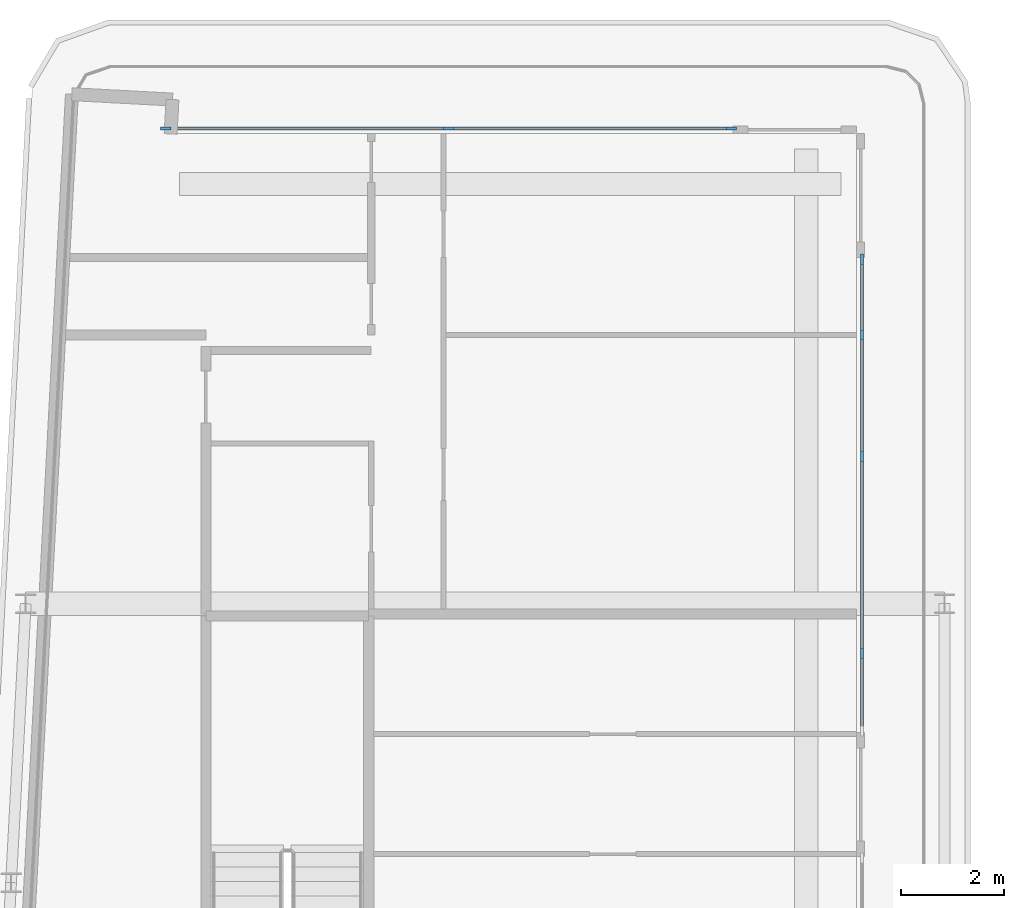
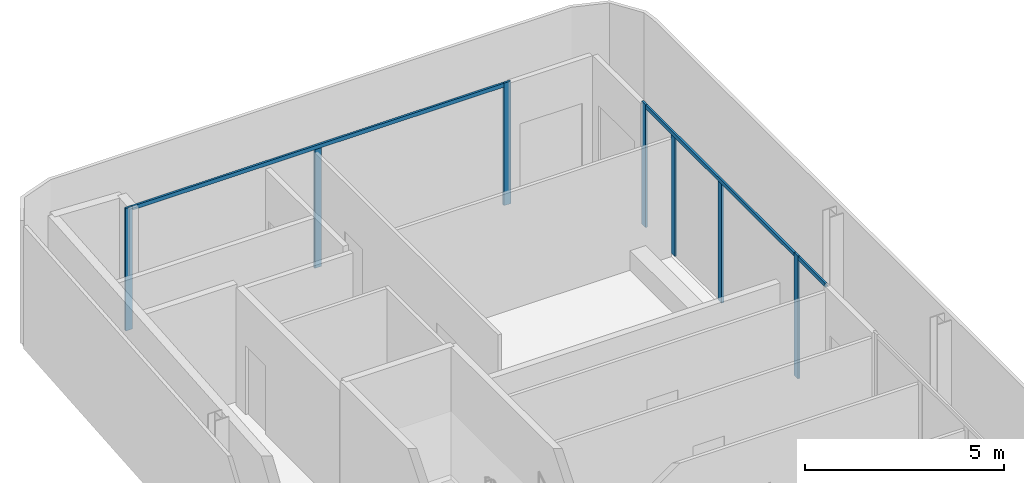
# One storey, part 8 of 21: 10 members, 3 elements without a shape of their own.
"""IFC4 building model written with IfcOpenShell, lengths in metres."""

from ifc_helpers import new_model, si_unit, direction, frame, origin, origin_2d, place, context, subcontext, project, spatial, rectangle, extrude, material, layer, layer_set, material_profile, profile_set, type_object, element, aggregate, save


model = new_model("IFC4")

# Units and contexts
model_context = context("Model", 3, precision=1e-05, world=origin(), true_north=direction((0.0, 1.0)))
body_context = subcontext(model_context, "Body", "Model", "MODEL_VIEW")
ifc_project = project(units=[si_unit("LENGTHUNIT", "METRE"), si_unit("AREAUNIT", "SQUARE_METRE"), si_unit("VOLUMEUNIT", "CUBIC_METRE"), si_unit("PLANEANGLEUNIT", "RADIAN"), si_unit("MASSUNIT", "GRAM", prefix="KILO")], contexts=[model_context])

# Site, building, storey
site_placement = place(None, origin())
site = spatial("IfcSite", under=ifc_project, at=site_placement, CompositionType="ELEMENT")
building_placement = place(site_placement, origin())
building = spatial("IfcBuilding", under=site, at=building_placement, Name="Kheshtan School and Residences Tower", CompositionType="ELEMENT")
storey_placement = place(building_placement, frame((0.0, 0.0, 317.60009765625)))
storey = spatial("IfcBuildingStorey", under=building, at=storey_placement, Name="L75", CompositionType="ELEMENT", Elevation=317.60009765625)

# Curtain wall, members
ifc_material_1 = material(Name="Clear low-e glass in thermally broken aluminium frame", Category="aluminium")
ifc_layer = layer(ifc_material_1, 0.199951171875)
ifc_layer_set = layer_set([ifc_layer], Name="Curtain wall CW-L")
curtain_wall_type = type_object("IfcCurtainWallType", Name="Curtain wall CW-L", PredefinedType="NOTDEFINED", material=ifc_layer_set)
curtain_wall_1_placement = place(storey_placement, origin())
curtain_wall_1 = element("IfcCurtainWall", 1, at=curtain_wall_1_placement, inside=storey, type_object=curtain_wall_type, Name="Curtain wall CWL7", PredefinedType="NOTDEFINED")
ifc_material_2 = material(Name="Thermally broken aluminium, dark bronze anodised", Category="aluminium")
ifc_material_profile_1 = material_profile(ifc_material_2, rectangle(XDim=0.06005859375, YDim=0.199951171875, at=origin_2d()), Name="CW-L mullion 60x200")
ifc_profile_set_1 = profile_set([ifc_material_profile_1], Name="Thermally broken aluminium, dark bronze anodised")
member_type_1 = type_object("IfcMemberType", Name="CW-L mullion 60x200", PredefinedType="MULLION", material=ifc_profile_set_1)
member_1_placement = place(storey_placement, frame((32.52197265625, 98.0, 0.0), z_axis=(0.0, 0.0, 1.0), x_axis=(0.0, 1.0, 0.0)))
member_1 = element("IfcMember", 2, at=member_1_placement, type_object=member_type_1, Name="CWL7 mullion 1", PredefinedType="MULLION", context=body_context, shape_type="SweptSolid", body=[
    extrude(rectangle(XDim=0.06005859375, YDim=0.199951171875, at=origin_2d()), origin(), (0.0, 0.0, 1.0), 3.75),
])
member_2_placement = place(storey_placement, frame((37.99609375, 98.0, 0.0), z_axis=(0.0, 0.0, 1.0), x_axis=(0.0, 1.0, 0.0)))
member_2 = element("IfcMember", 3, at=member_2_placement, type_object=member_type_1, Name="CWL7 mullion 2", PredefinedType="MULLION", context=body_context, shape_type="SweptSolid", body=[
    extrude(rectangle(XDim=0.06005859375, YDim=0.199951171875, at=origin_2d()), origin(), (0.0, 0.0, 1.0), 3.6298828125),
])
member_3_placement = place(storey_placement, frame((43.469970703125, 98.0, 0.0), z_axis=(0.0, 0.0, 1.0), x_axis=(0.0, 1.0, 0.0)))
member_3 = element("IfcMember", 4, at=member_3_placement, type_object=member_type_1, Name="CWL7 mullion 3", PredefinedType="MULLION", context=body_context, shape_type="SweptSolid", body=[
    extrude(rectangle(XDim=0.06005859375, YDim=0.199951171875, at=origin_2d()), origin(), (0.0, 0.0, 1.0), 3.75),
])

curtain_wall_2_placement = place(storey_placement, origin())
curtain_wall_2 = element("IfcCurtainWall", 5, at=curtain_wall_2_placement, inside=storey, type_object=curtain_wall_type, Name="Curtain wall CWL8c", PredefinedType="NOTDEFINED")
member_4_placement = place(storey_placement, frame((46.0, 95.469970703125, 0.0), z_axis=(0.0, 0.0, 1.0), x_axis=(1.0, 0.0, 0.0)))
member_4 = element("IfcMember", 6, at=member_4_placement, type_object=member_type_1, Name="CWL8c mullion 1", PredefinedType="MULLION", context=body_context, shape_type="SweptSolid", body=[
    extrude(rectangle(XDim=0.06005859375, YDim=0.199951171875, at=origin_2d()), origin(), (0.0, 0.0, 1.0), 3.75),
])
member_5_placement = place(storey_placement, frame((46.0, 94.0, 0.0), z_axis=(0.0, 0.0, 1.0), x_axis=(1.0, 0.0, 0.0)))
member_5 = element("IfcMember", 7, at=member_5_placement, type_object=member_type_1, Name="CWL8c mullion 2", PredefinedType="MULLION", context=body_context, shape_type="SweptSolid", body=[
    extrude(rectangle(XDim=0.06005859375, YDim=0.199951171875, at=origin_2d()), origin(), (0.0, 0.0, 1.0), 3.6298828125),
])
member_6_placement = place(storey_placement, frame((46.0, 91.653076171875, 0.0), z_axis=(0.0, 0.0, 1.0), x_axis=(1.0, 0.0, 0.0)))
member_6 = element("IfcMember", 8, at=member_6_placement, type_object=member_type_1, Name="CWL8c mullion 3", PredefinedType="MULLION", context=body_context, shape_type="SweptSolid", body=[
    extrude(rectangle(XDim=0.06005859375, YDim=0.199951171875, at=origin_2d()), origin(), (0.0, 0.0, 1.0), 3.6298828125),
])
member_7_placement = place(storey_placement, frame((46.0, 87.8359375, 0.0), z_axis=(0.0, 0.0, 1.0), x_axis=(1.0, 0.0, 0.0)))
member_7 = element("IfcMember", 9, at=member_7_placement, type_object=member_type_1, Name="CWL8c mullion 4", PredefinedType="MULLION", context=body_context, shape_type="SweptSolid", body=[
    extrude(rectangle(XDim=0.06005859375, YDim=0.199951171875, at=origin_2d()), origin(), (0.0, 0.0, 1.0), 3.75),
])

# Member
ifc_material_profile_2 = material_profile(ifc_material_2, rectangle(XDim=0.06005859375, YDim=0.1201171875, at=origin_2d()), Name="CW-L transom 60x120")
ifc_profile_set_2 = profile_set([ifc_material_profile_2], Name="Thermally broken aluminium, dark bronze anodised")
member_type_2 = type_object("IfcMemberType", Name="CW-L transom 60x120", PredefinedType="USERDEFINED", material=ifc_profile_set_2)
member_8_placement = place(storey_placement, frame((32.552001953125, 98.0, 3.68994140625), z_axis=(1.0, 0.0, 0.0), x_axis=(0.0, 1.0, 0.0)))
member_8 = element("IfcMember", 10, at=member_8_placement, type_object=member_type_2, Name="CWL7 transom 1", ObjectType="TRANSOM", PredefinedType="USERDEFINED", context=body_context, shape_type="SweptSolid", body=[
    extrude(rectangle(XDim=0.06005859375, YDim=0.1201171875, at=origin_2d()), origin(), (0.0, 0.0, 1.0), 10.887939453125),
])

aggregate(curtain_wall_1, [member_1, member_2, member_3, member_8])

member_9_placement = place(storey_placement, frame((46.0, 95.43994140625, 3.68994140625), z_axis=(0.0, -1.0, 0.0), x_axis=(1.0, 0.0, 0.0)))
member_9 = element("IfcMember", 11, at=member_9_placement, type_object=member_type_2, Name="CWL8c transom 1", ObjectType="TRANSOM", PredefinedType="USERDEFINED", context=body_context, shape_type="SweptSolid", body=[
    extrude(rectangle(XDim=0.06005859375, YDim=0.1201171875, at=origin_2d()), origin(), (0.0, 0.0, 1.0), 7.573974609375),
])

aggregate(curtain_wall_2, [member_4, member_5, member_6, member_7, member_9])

# Curtain wall, member
curtain_wall_3_placement = place(storey_placement, origin())
curtain_wall_3 = element("IfcCurtainWall", 12, at=curtain_wall_3_placement, inside=storey, type_object=curtain_wall_type, Name="Curtain wall CWL8a", PredefinedType="NOTDEFINED")
member_10_placement = place(storey_placement, frame((46.0, 87.805908203125, 3.68994140625), z_axis=(0.0, -1.0, 0.0), x_axis=(1.0, 0.0, 0.0)))
member_10 = element("IfcMember", 13, at=member_10_placement, type_object=member_type_2, Name="CWL8a transom 1", ObjectType="TRANSOM", PredefinedType="USERDEFINED", context=body_context, shape_type="SweptSolid", body=[
    extrude(rectangle(XDim=0.06005859375, YDim=0.1201171875, at=origin_2d()), origin(), (0.0, 0.0, 1.0), 1.43994140625),
])
aggregate(curtain_wall_3, [member_10])

save(model, "model.ifc")
